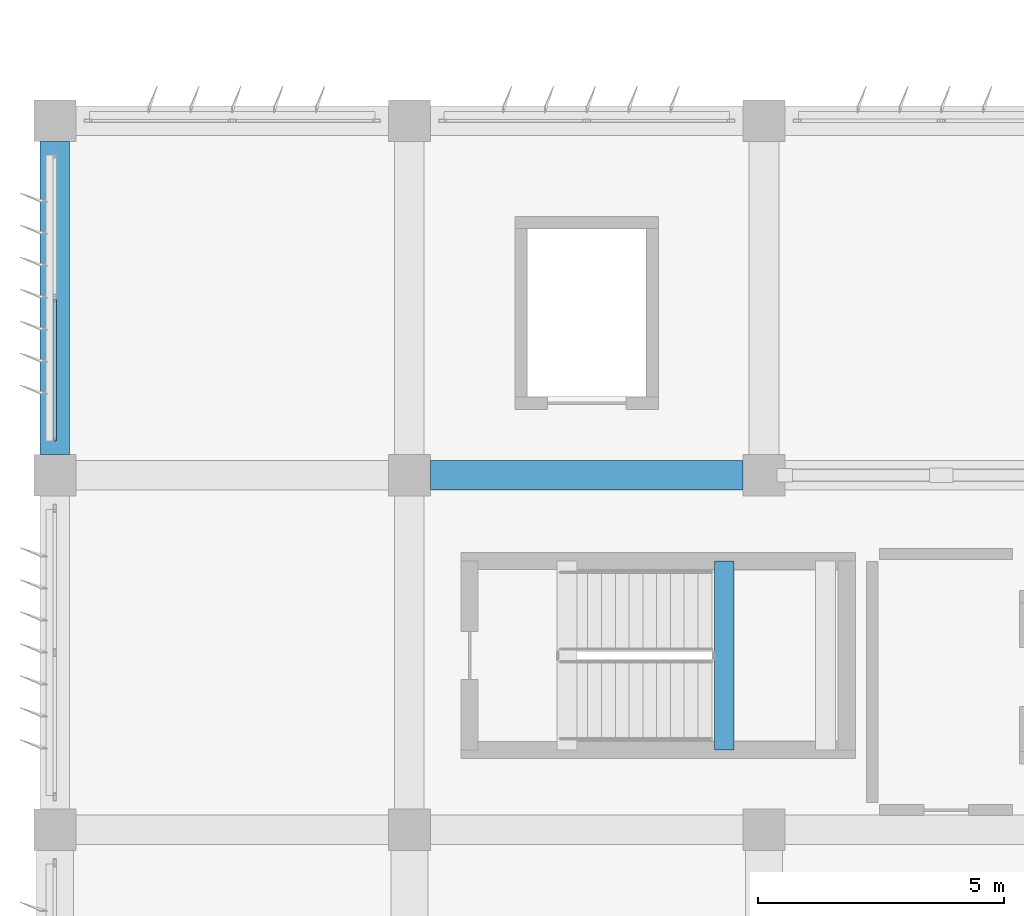
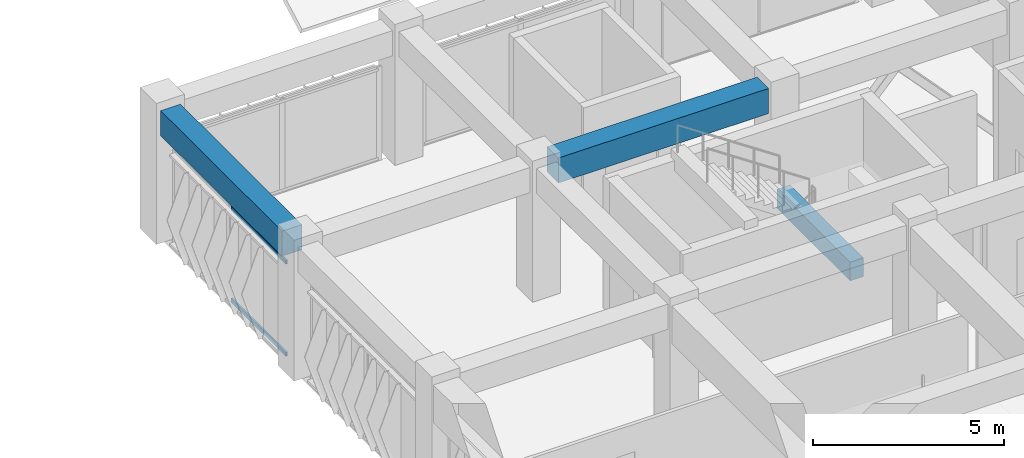
# One storey, part 10 of 56: 3 beams, 2 members, 1 element without a shape of its own.
"""IFC4 building model written with IfcOpenShell, lengths in metres."""

from ifc_helpers import new_model, si_unit, direction, frame, origin, origin_2d, place, context, subcontext, project, spatial, rectangle, hollow_rectangle, extrude, material, material_profile, profile_set, type_object, element, aggregate, save


model = new_model("IFC4")

# Units and contexts
model_context = context("Model", 3, precision=1e-05, world=origin(), true_north=direction((0.0, 1.0)))
body_context = subcontext(model_context, "Body", "Model", "MODEL_VIEW")
ifc_project = project(units=[si_unit("LENGTHUNIT", "METRE"), si_unit("AREAUNIT", "SQUARE_METRE"), si_unit("VOLUMEUNIT", "CUBIC_METRE"), si_unit("PLANEANGLEUNIT", "RADIAN"), si_unit("MASSUNIT", "GRAM", prefix="KILO")], contexts=[model_context])

# Site, building, storey
site_placement = place(None, origin())
site = spatial("IfcSite", under=ifc_project, at=site_placement, CompositionType="ELEMENT")
building_placement = place(site_placement, origin())
building = spatial("IfcBuilding", under=site, at=building_placement, Name="Kazehaya Institute of Natural Sciences", CompositionType="ELEMENT")
storey_placement = place(building_placement, frame((0.0, 0.0, 24.300048828125)))
storey = spatial("IfcBuildingStorey", under=building, at=storey_placement, Name="L05", CompositionType="ELEMENT", Elevation=24.300048828125)

# Beams
ifc_material_1 = material(Name="Concrete Fc36", Category="concrete")
ifc_material_profile_1 = material_profile(ifc_material_1, rectangle(XDim=0.39990234375, YDim=0.60009765625, at=origin_2d()), Name="RC-400x600")
ifc_profile_set_1 = profile_set([ifc_material_profile_1], Name="Concrete Fc36")
beam_type_1 = type_object("IfcBeamType", Name="BM-B-400x600", PredefinedType="BEAM", material=ifc_profile_set_1)
beam_1_placement = place(storey_placement, frame((68.18994140625, 22.820068359375, 1.7900390625), z_axis=(0.0, 1.0, 0.0), x_axis=(-1.0, 0.0, 0.0)))
element("IfcBeam", 1, at=beam_1_placement, inside=storey, type_object=beam_type_1, Name="L05 ST-1 landing beam 1", PredefinedType="BEAM", context=body_context, shape_type="SweptSolid", body=[
    extrude(rectangle(XDim=0.39990234375, YDim=0.60009765625, at=origin_2d()), origin(), (0.0, 0.0, 1.0), 3.83984375),
])
ifc_material_profile_2 = material_profile(ifc_material_1, rectangle(XDim=0.60009765625, YDim=0.800048828125, at=origin_2d()), Name="RC-600x800")
ifc_profile_set_2 = profile_set([ifc_material_profile_2], Name="Concrete Fc36")
beam_type_2 = type_object("IfcBeamType", Name="BM-G-600x800", PredefinedType="BEAM", material=ifc_profile_set_2)
beam_2_placement = place(storey_placement, frame((62.22509765625, 28.39990234375, 3.829833984375), z_axis=(1.0, 0.0, 0.0), x_axis=(0.0, 1.0, 0.0)))
element("IfcBeam", 2, at=beam_2_placement, inside=storey, type_object=beam_type_2, Name="L05 primary X girder BMX-L05-618-284", PredefinedType="BEAM", context=body_context, shape_type="SweptSolid", body=[
    extrude(rectangle(XDim=0.60009765625, YDim=0.800048828125, at=origin_2d()), origin(), (0.0, 0.0, 1.0), 6.349853515625),
])
beam_3_placement = place(storey_placement, frame((54.60009765625, 28.824951171875, 3.829833984375), z_axis=(0.0, 1.0, 0.0), x_axis=(-1.0, 0.0, 0.0)))
element("IfcBeam", 3, at=beam_3_placement, inside=storey, type_object=beam_type_2, Name="L05 primary Y girder BMY-L05-546-284", PredefinedType="BEAM", context=body_context, shape_type="SweptSolid", body=[
    extrude(rectangle(XDim=0.60009765625, YDim=0.800048828125, at=origin_2d()), origin(), (0.0, 0.0, 1.0), 6.35009765625),
])

# Curtain wall, members
ifc_material_2 = material(Name="Aluminium alloy A6063S-T5", Category="aluminium")
curtain_wall_type = type_object("IfcCurtainWallType", Name="CW-SYS-10", PredefinedType="NOTDEFINED", material=ifc_material_2)
curtain_wall_placement = place(storey_placement, origin())
curtain_wall = element("IfcCurtainWall", 4, at=curtain_wall_placement, inside=storey, type_object=curtain_wall_type, Name="L05 unitised curtain wall CW-L05-118", PredefinedType="NOTDEFINED")
ifc_material_profile_3 = material_profile(ifc_material_2, hollow_rectangle(XDim=0.06005859375, YDim=0.1201171875, WallThickness=0.00341796875, at=origin_2d()), Name="ALU-60x120x3.5")
ifc_profile_set_3 = profile_set([ifc_material_profile_3], Name="Aluminium alloy A6063S-T5")
member_type = type_object("IfcMemberType", Name="CWT-120", PredefinedType="USERDEFINED", material=ifc_profile_set_3)
member_1_placement = place(storey_placement, frame((54.60009765625, 29.10009765625, 0.030029296875), z_axis=(0.0, 1.0, 0.0), x_axis=(-1.0, 0.0, 0.0)))
member_1 = element("IfcMember", 5, at=member_1_placement, type_object=member_type, Name="CW10 transom 1.1", ObjectType="TRANSOM", PredefinedType="USERDEFINED", context=body_context, shape_type="SweptSolid", body=[
    extrude(hollow_rectangle(XDim=0.06005859375, YDim=0.1201171875, WallThickness=0.00341796875, at=origin_2d()), origin(), (0.0, 0.0, 1.0), 2.869873046875),
])
member_2_placement = place(storey_placement, frame((54.60009765625, 29.10009765625, 2.969970703125), z_axis=(0.0, 1.0, 0.0), x_axis=(-1.0, 0.0, 0.0)))
member_2 = element("IfcMember", 6, at=member_2_placement, type_object=member_type, Name="CW10 transom 1.2", ObjectType="TRANSOM", PredefinedType="USERDEFINED", context=body_context, shape_type="SweptSolid", body=[
    extrude(hollow_rectangle(XDim=0.06005859375, YDim=0.1201171875, WallThickness=0.00341796875, at=origin_2d()), origin(), (0.0, 0.0, 1.0), 2.869873046875),
])
aggregate(curtain_wall, [member_1, member_2])

save(model, "model.ifc")
